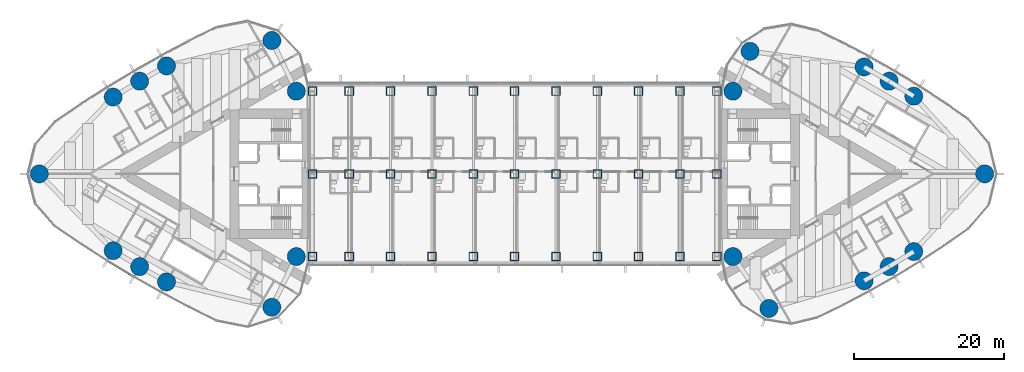
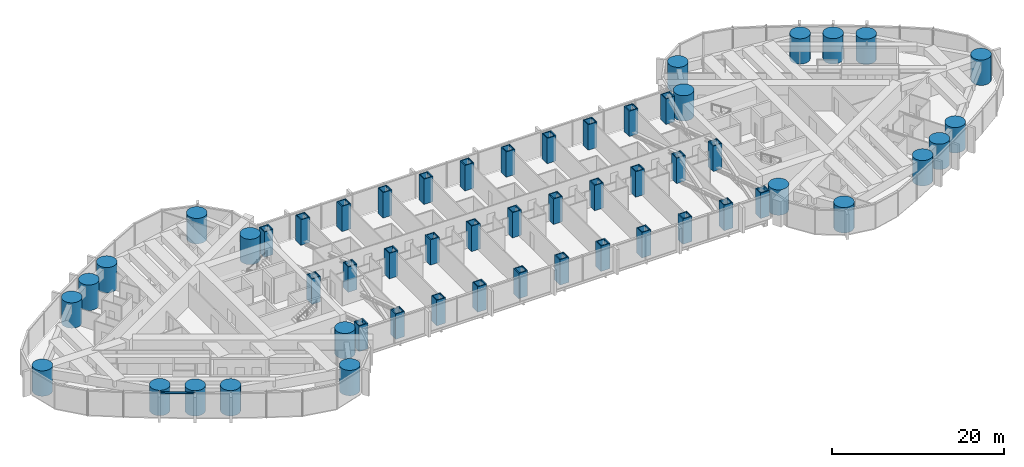
# One storey, part 1 of 23: 55 columns, 1 member, 1 element without a shape of its own.
"""IFC4 building model written with IfcOpenShell, lengths in metres."""

from ifc_helpers import new_model, si_unit, direction, frame, origin, origin_2d, place, context, subcontext, project, spatial, rectangle, hollow_rectangle, circle, extrude, material, material_profile, profile_set, type_object, element, aggregate, save


model = new_model("IFC4")

# Units and contexts
model_context = context("Model", 3, precision=1e-05, world=origin(), true_north=direction((0.0, 1.0)))
body_context = subcontext(model_context, "Body", "Model", "MODEL_VIEW")
ifc_project = project(units=[si_unit("LENGTHUNIT", "METRE"), si_unit("AREAUNIT", "SQUARE_METRE"), si_unit("VOLUMEUNIT", "CUBIC_METRE"), si_unit("PLANEANGLEUNIT", "RADIAN"), si_unit("MASSUNIT", "GRAM", prefix="KILO")], contexts=[model_context])

# Site, building, storey
site_placement = place(None, origin())
site = spatial("IfcSite", under=ifc_project, at=site_placement, CompositionType="ELEMENT")
building_placement = place(site_placement, origin())
building = spatial("IfcBuilding", under=site, at=building_placement, Name="Lancet Gate Hotel", CompositionType="ELEMENT")
storey_placement = place(building_placement, frame((0.0, 0.0, 215.300048828125)))
storey = spatial("IfcBuildingStorey", under=building, at=storey_placement, Name="L57", CompositionType="ELEMENT", Elevation=215.300048828125)

# Columns
ifc_material_1 = material(Name="Steel S460QL", Category="steel")
ifc_material_profile_1 = material_profile(ifc_material_1, hollow_rectangle(XDim=1.199951171875, YDim=1.199951171875, WallThickness=0.1201171875, at=origin_2d()), Name="BOX 1200x1200x120")
ifc_profile_set_1 = profile_set([ifc_material_profile_1], Name="Steel S460QL")
column_type_1 = type_object("IfcColumnType", Name="Block column BOX 1200x1200x120", PredefinedType="COLUMN", material=ifc_profile_set_1)
for number, where, z_axis, x_axis, name in (
    (1, (-26.89990234375, -11.0, 0.0), (0.0, 0.0, 1.0), (1.0, 0.0, 0.0), "Block column S0 L57"),
    (2, (-22.0, -11.0, 0.0), (0.0, 0.0, 1.0), (1.0, 0.0, 0.0), "Block column S1 L57"),
    (3, (-16.5, -11.0, 0.0), (0.0, 0.0, 1.0), (1.0, 0.0, 0.0), "Block column S2 L57"),
    (4, (-11.0, -11.0, 0.0), (0.0, 0.0, 1.0), (1.0, 0.0, 0.0), "Block column S3 L57"),
    (5, (-5.5, -11.0, 0.0), (0.0, 0.0, 1.0), (1.0, 0.0, 0.0), "Block column S4 L57"),
    (6, (0.0, -11.0, 0.0), (0.0, 0.0, 1.0), (1.0, 0.0, 0.0), "Block column S5 L57"),
    (7, (5.5, -11.0, 0.0), (0.0, 0.0, 1.0), (1.0, 0.0, 0.0), "Block column S6 L57"),
    (8, (11.0, -11.0, 0.0), (0.0, 0.0, 1.0), (1.0, 0.0, 0.0), "Block column S7 L57"),
    (9, (16.5, -11.0, 0.0), (0.0, 0.0, 1.0), (1.0, 0.0, 0.0), "Block column S8 L57"),
    (10, (22.0, -11.0, 0.0), (0.0, 0.0, 1.0), (1.0, 0.0, 0.0), "Block column S9 L57"),
    (11, (26.89990234375, -11.0, 0.0), (0.0, 0.0, 1.0), (1.0, 0.0, 0.0), "Block column S10 L57"),
    (12, (-26.89990234375, 0.0, 0.0), (0.0, 0.0, 1.0), (1.0, 0.0, 0.0), "Block column M0 L57"),
    (13, (-22.0, 0.0, 0.0), (0.0, 0.0, 1.0), (1.0, 0.0, 0.0), "Block column M1 L57"),
    (14, (-16.5, 0.0, 0.0), (0.0, 0.0, 1.0), (1.0, 0.0, 0.0), "Block column M2 L57"),
    (15, (-11.0, 0.0, 0.0), (0.0, 0.0, 1.0), (1.0, 0.0, 0.0), "Block column M3 L57"),
    (16, (-5.5, 0.0, 0.0), (0.0, 0.0, 1.0), (1.0, 0.0, 0.0), "Block column M4 L57"),
    (17, (0.0, 0.0, 0.0), (0.0, 0.0, 1.0), (1.0, 0.0, 0.0), "Block column M5 L57"),
    (18, (5.5, 0.0, 0.0), (0.0, 0.0, 1.0), (1.0, 0.0, 0.0), "Block column M6 L57"),
    (19, (11.0, 0.0, 0.0), (0.0, 0.0, 1.0), (1.0, 0.0, 0.0), "Block column M7 L57"),
    (20, (16.5, 0.0, 0.0), (0.0, 0.0, 1.0), (1.0, 0.0, 0.0), "Block column M8 L57"),
    (21, (22.0, 0.0, 0.0), (0.0, 0.0, 1.0), (1.0, 0.0, 0.0), "Block column M9 L57"),
    (22, (26.89990234375, 0.0, 0.0), (0.0, 0.0, 1.0), (1.0, 0.0, 0.0), "Block column M10 L57"),
    (23, (-26.89990234375, 11.0, 0.0), (0.0, 0.0, 1.0), (1.0, 0.0, 0.0), "Block column N0 L57"),
    (24, (-22.0, 11.0, 0.0), (0.0, 0.0, 1.0), (1.0, 0.0, 0.0), "Block column N1 L57"),
    (25, (-16.5, 11.0, 0.0), (0.0, 0.0, 1.0), (1.0, 0.0, 0.0), "Block column N2 L57"),
    (26, (-11.0, 11.0, 0.0), (0.0, 0.0, 1.0), (1.0, 0.0, 0.0), "Block column N3 L57"),
    (27, (-5.5, 11.0, 0.0), (0.0, 0.0, 1.0), (1.0, 0.0, 0.0), "Block column N4 L57"),
    (28, (0.0, 11.0, 0.0), (0.0, 0.0, 1.0), (1.0, 0.0, 0.0), "Block column N5 L57"),
    (29, (5.5, 11.0, 0.0), (0.0, 0.0, 1.0), (1.0, 0.0, 0.0), "Block column N6 L57"),
    (30, (11.0, 11.0, 0.0), (0.0, 0.0, 1.0), (1.0, 0.0, 0.0), "Block column N7 L57"),
    (31, (16.5, 11.0, 0.0), (0.0, 0.0, 1.0), (1.0, 0.0, 0.0), "Block column N8 L57"),
    (32, (22.0, 11.0, 0.0), (0.0, 0.0, 1.0), (1.0, 0.0, 0.0), "Block column N9 L57"),
    (33, (26.89990234375, 11.0, 0.0), (0.0, 0.0, 1.0), (1.0, 0.0, 0.0), "Block column N10 L57"),
):
    element("IfcColumn", number, at=place(storey_placement, frame(where, z_axis=z_axis, x_axis=x_axis)), inside=storey, type_object=column_type_1, Name=name, PredefinedType="COLUMN", context=body_context, shape_type="SweptSolid", body=[
        extrude(hollow_rectangle(XDim=1.199951171875, YDim=1.199951171875, WallThickness=0.1201171875, at=origin_2d()), origin(), (0.0, 0.0, 1.0), 3.599853515625),
    ])
ifc_material_2 = material(Name="Concrete C50/60", Category="concrete")
ifc_material_profile_2 = material_profile(ifc_material_2, circle(Radius=1.199951171875, at=origin_2d()), Name="RC D2400")
ifc_profile_set_2 = profile_set([ifc_material_profile_2], Name="Concrete C50/60")
column_type_2 = type_object("IfcColumnType", Name="Perimeter column RC D2400", PredefinedType="COLUMN", material=ifc_profile_set_2)
for number, where, z_axis, x_axis, name in (
    (34, (-63.234375, 0.0, 0.0), (0.0, 0.0, 1.0), (1.0, 0.0, 0.0), "T1 column CA L57"),
    (35, (-32.301025390625, -17.745361328125, 0.0), (0.0, 0.0, 1.0), (1.0, 0.0, 0.0), "T1 column CN L57"),
    (36, (-32.301025390625, 17.745361328125, 0.0), (0.0, 0.0, 1.0), (1.0, 0.0, 0.0), "T1 column CS L57"),
    (37, (-29.050048828125, -11.0, 0.0), (0.0, 0.0, 1.0), (1.0, 0.0, 0.0), "T1 column IN L57"),
    (38, (-29.050048828125, 11.0, 0.0), (0.0, 0.0, 1.0), (1.0, 0.0, 0.0), "T1 column IS L57"),
    (39, (-53.40771484375, -10.218994140625, 0.0), (0.0, 0.0, 1.0), (1.0, 0.0, 0.0), "T1 column ON1 L57"),
    (40, (-49.89013671875, -12.340087890625, 0.0), (0.0, 0.0, 1.0), (1.0, 0.0, 0.0), "T1 column ON2 L57"),
    (41, (-46.316650390625, -14.365478515625, 0.0), (0.0, 0.0, 1.0), (1.0, 0.0, 0.0), "T1 column ON3 L57"),
    (42, (-46.316650390625, 14.365478515625, 0.0), (0.0, 0.0, 1.0), (1.0, 0.0, 0.0), "T1 column OS1 L57"),
    (43, (-49.89013671875, 12.340087890625, 0.0), (0.0, 0.0, 1.0), (1.0, 0.0, 0.0), "T1 column OS2 L57"),
    (44, (-53.40771484375, 10.218994140625, 0.0), (0.0, 0.0, 1.0), (1.0, 0.0, 0.0), "T1 column OS3 L57"),
    (45, (62.54150390625, 0.0, 0.0), (0.0, 0.0, 1.0), (1.0, 0.0, 0.0), "T2 column CA L57"),
    (46, (31.328369140625, 16.310791015625, 0.0), (0.0, 0.0, 1.0), (1.0, 0.0, 0.0), "T2 column CN L57"),
    (47, (33.837158203125, -17.906005859375, 0.0), (0.0, 0.0, 1.0), (1.0, 0.0, 0.0), "T2 column CS L57"),
    (48, (29.050048828125, 11.0, 0.0), (0.0, 0.0, 1.0), (1.0, 0.0, 0.0), "T2 column IN L57"),
    (49, (29.050048828125, -11.0, 0.0), (0.0, 0.0, 1.0), (1.0, 0.0, 0.0), "T2 column IS L57"),
    (50, (53.107666015625, 10.333984375, 0.0), (0.0, 0.0, 1.0), (1.0, 0.0, 0.0), "T2 column ON1 L57"),
    (51, (49.833984375, 12.331787109375, 0.0), (0.0, 0.0, 1.0), (1.0, 0.0, 0.0), "T2 column ON2 L57"),
    (52, (46.499267578125, 14.2255859375, 0.0), (0.0, 0.0, 1.0), (1.0, 0.0, 0.0), "T2 column ON3 L57"),
    (53, (46.499267578125, -14.2255859375, 0.0), (0.0, 0.0, 1.0), (1.0, 0.0, 0.0), "T2 column OS1 L57"),
    (54, (49.833984375, -12.331787109375, 0.0), (0.0, 0.0, 1.0), (1.0, 0.0, 0.0), "T2 column OS2 L57"),
    (55, (53.107666015625, -10.333984375, 0.0), (0.0, 0.0, 1.0), (1.0, 0.0, 0.0), "T2 column OS3 L57"),
):
    element("IfcColumn", number, at=place(storey_placement, frame(where, z_axis=z_axis, x_axis=x_axis)), inside=storey, type_object=column_type_2, Name=name, PredefinedType="COLUMN", context=body_context, shape_type="SweptSolid", body=[
        extrude(circle(Radius=1.199951171875, at=origin_2d()), origin(), (0.0, 0.0, 1.0), 3.599853515625),
    ])

# Curtain wall, member
ifc_material_3 = material(Name="Aluminium curtain wall", Category="aluminium")
curtain_wall_type = type_object("IfcCurtainWallType", Name="Tower unitised curtain wall", PredefinedType="USERDEFINED", material=ifc_material_3)
curtain_wall_placement = place(storey_placement, origin())
curtain_wall = element("IfcCurtainWall", 56, at=curtain_wall_placement, inside=storey, type_object=curtain_wall_type, Name="T1 L57 curtain wall 1", ObjectType="UNITISED CURTAIN WALL", PredefinedType="USERDEFINED")
ifc_material_4 = material(Name="Aluminium transom", Category="aluminium")
ifc_material_profile_3 = material_profile(ifc_material_4, rectangle(XDim=0.25, YDim=0.14990234375, at=origin_2d()), Name="TRANSOM 250x150")
ifc_profile_set_3 = profile_set([ifc_material_profile_3], Name="Aluminium transom")
member_type = type_object("IfcMemberType", Name="Aluminium transom 250x150", PredefinedType="USERDEFINED", material=ifc_profile_set_3)
member_placement = place(storey_placement, frame((-54.197998046875, -11.55224609375, 3.52490234375), z_axis=(0.856362214892, -0.516375596737, 0.0), x_axis=(0.516375596737, 0.856362214892, 0.0)))
member = element("IfcMember", 57, at=member_placement, type_object=member_type, Name="T1 L57 curtain wall 1 transom 17", ObjectType="TRANSOM", PredefinedType="USERDEFINED", context=body_context, shape_type="SweptSolid", body=[
    extrude(rectangle(XDim=0.25, YDim=0.14990234375, at=origin_2d()), origin(), (0.0, 0.0, 1.0), 4.08447265625),
])
aggregate(curtain_wall, [member])

save(model, "model.ifc")
